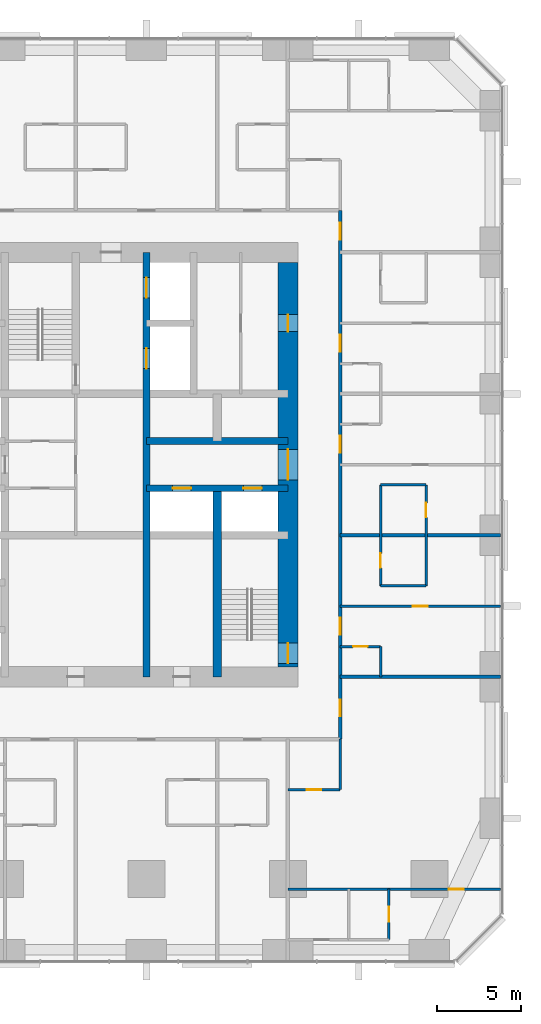
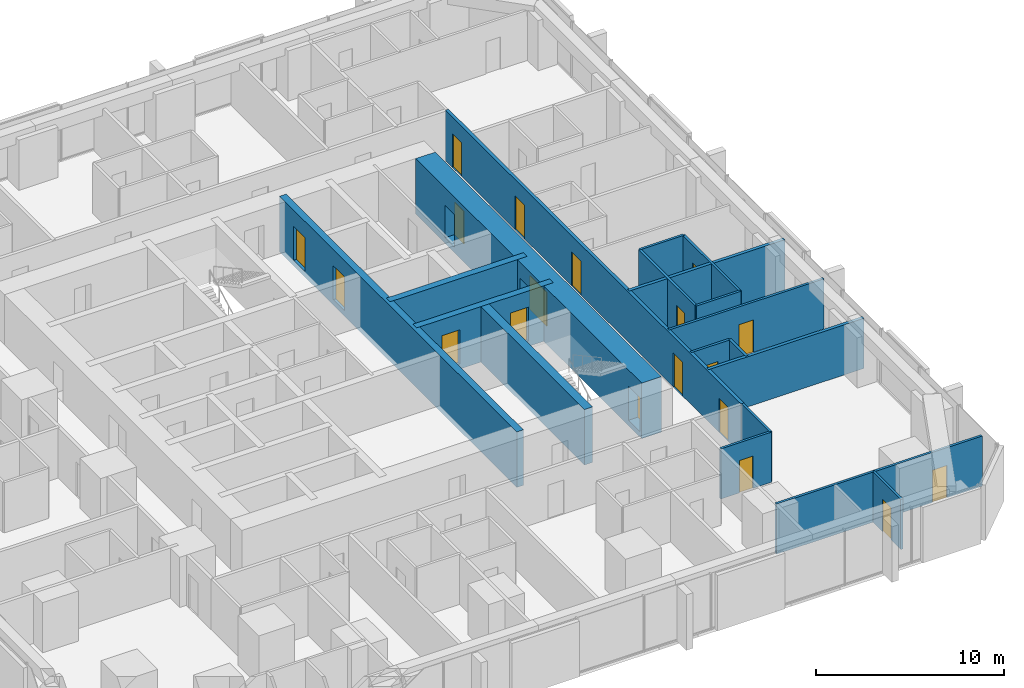
# One storey, part 10 of 13: 19 doors, 19 walls, 19 openings.
"""IFC4 building model written with IfcOpenShell, lengths in metres."""

from ifc_helpers import new_model, si_unit, direction, frame, frame_2d, origin, place, context, subcontext, project, spatial, rectangle, extrude, material, layer, layer_set, type_object, element, fill, save


model = new_model("IFC4")

# Units and contexts
model_context = context("Model", 3, precision=1e-05, world=origin(), true_north=direction((0.0, 1.0)))
body_context = subcontext(model_context, "Body", "Model", "MODEL_VIEW")
ifc_project = project(units=[si_unit("LENGTHUNIT", "METRE"), si_unit("AREAUNIT", "SQUARE_METRE"), si_unit("VOLUMEUNIT", "CUBIC_METRE"), si_unit("PLANEANGLEUNIT", "RADIAN"), si_unit("MASSUNIT", "GRAM", prefix="KILO")], contexts=[model_context])

# Site, building, storey
site_placement = place(None, origin())
site = spatial("IfcSite", under=ifc_project, at=site_placement, CompositionType="ELEMENT")
building_placement = place(site_placement, origin())
building = spatial("IfcBuilding", under=site, at=building_placement, Name="Dunama Terrace Hotel", CompositionType="ELEMENT")
storey_placement = place(building_placement, frame((0.0, 0.0, 144.0)))
storey = spatial("IfcBuildingStorey", under=building, at=storey_placement, Name="L37", CompositionType="ELEMENT", Elevation=144.0)

# Walls
ifc_material_1 = material(Name="Gypsum board partition", Category="masonry")
ifc_layer_1 = layer(ifc_material_1, 0.14990234375)
ifc_layer_set_1 = layer_set([ifc_layer_1], Name="Bathroom partition 150")
wall_type_1 = type_object("IfcWallType", Name="Bathroom partition 150", PredefinedType="PARTITIONING", material=ifc_layer_set_1)
wall_1_placement = place(storey_placement, frame((45.10009765625, 10.10009765625, 0.0), z_axis=(0.0, 0.0, 1.0), x_axis=(0.0, 1.0, 0.0)))
element("IfcWall", 1, at=wall_1_placement, inside=storey, type_object=wall_type_1, Name="Bathroom partition 150 L37", PredefinedType="PARTITIONING", context=body_context, shape_type="SweptSolid", body=[
    extrude(rectangle(XDim=3.0, YDim=0.14990234375, at=frame_2d((1.5, 0.0))), origin(), (0.0, 0.0, 1.0), 3.25),
])
wall_2_placement = place(storey_placement, frame((47.5, 16.800048828125, 0.0), z_axis=(0.0, 0.0, 1.0), x_axis=(0.0, 1.0, 0.0)))
element("IfcWall", 2, at=wall_2_placement, inside=storey, type_object=wall_type_1, Name="Bathroom partition 150 L37", PredefinedType="PARTITIONING", context=body_context, shape_type="SweptSolid", body=[
    extrude(rectangle(XDim=1.800048828125, YDim=0.14990234375, at=frame_2d((0.89990234375, 0.0))), origin(), (0.0, 0.0, 1.0), 3.25),
])

# Wall, opening, door
wall_3_placement = place(storey_placement, frame((47.5, 22.199951171875, 0.0), z_axis=(0.0, 0.0, 1.0), x_axis=(0.0, 1.0, 0.0)))
wall_3 = element("IfcWall", 3, at=wall_3_placement, inside=storey, type_object=wall_type_1, Name="Bathroom partition 150 L37", PredefinedType="PARTITIONING", context=body_context, shape_type="SweptSolid", body=[
    extrude(rectangle(XDim=6.0, YDim=0.14990234375, at=frame_2d((3.0, 0.0))), origin(), (0.0, 0.0, 1.0), 3.25),
])
opening_1_placement = place(wall_3_placement, frame((1.074951171875, 0.0, 0.0)))
opening_1 = element("IfcOpeningElement", 4, at=opening_1_placement, cuts=wall_3, Name="Opening L37-024", PredefinedType="OPENING", context=body_context, shape_type="SweptSolid", body=[
    extrude(rectangle(XDim=0.85009765625, YDim=2.10009765625, at=frame_2d((0.425048828125, 1.050048828125))), frame((0.0, 0.0849609375, 0.0), z_axis=(0.0, -1.0, 0.0), x_axis=(1.0, 0.0, 0.0)), (0.0, 0.0, 1.0), 0.169921875),
])
ifc_material_2 = material(Name="Timber door with steel frame", Category="steel")
door_type_1 = type_object("IfcDoorType", Name="Bathroom door 850", OperationType="SINGLE_SWING_LEFT", PredefinedType="DOOR", material=ifc_material_2)
door_1_placement = place(opening_1_placement, frame((0.85009765625, 0.0, 0.0), z_axis=(0.0, 0.0, 1.0), x_axis=(-1.0, 0.0, 0.0)))
door_1 = element("IfcDoor", 5, at=door_1_placement, inside=storey, type_object=door_type_1, Name="Door to en-suite bathroom L37-024, type D2", OperationType="SINGLE_SWING_LEFT", OverallHeight=2.10009765625, OverallWidth=0.85009765625, PredefinedType="DOOR", context=body_context, shape_type="SweptSolid", body=[
    extrude(rectangle(XDim=0.85009765625, YDim=2.10009765625, at=frame_2d((0.425048828125, 1.050048828125))), frame((0.0, 0.025146484375, 0.0), z_axis=(0.0, -1.0, 0.0), x_axis=(1.0, 0.0, 0.0)), (0.0, 0.0, 1.0), 0.050048828125),
])
fill(opening_1, door_1)

wall_4_placement = place(storey_placement, frame((50.199951171875, 22.199951171875, 0.0), z_axis=(0.0, 0.0, 1.0), x_axis=(0.0, 1.0, 0.0)))
wall_4 = element("IfcWall", 6, at=wall_4_placement, inside=storey, type_object=wall_type_1, Name="Bathroom partition 150 L37", PredefinedType="PARTITIONING", context=body_context, shape_type="SweptSolid", body=[
    extrude(rectangle(XDim=6.0, YDim=0.14990234375, at=frame_2d((3.0, 0.0))), origin(), (0.0, 0.0, 1.0), 3.25),
])
opening_2_placement = place(wall_4_placement, frame((4.074951171875, 0.0, 0.0)))
opening_2 = element("IfcOpeningElement", 7, at=opening_2_placement, cuts=wall_4, Name="Opening L37-028", PredefinedType="OPENING", context=body_context, shape_type="SweptSolid", body=[
    extrude(rectangle(XDim=0.85009765625, YDim=2.10009765625, at=frame_2d((0.425048828125, 1.050048828125))), frame((0.0, 0.0849609375, 0.0), z_axis=(0.0, -1.0, 0.0), x_axis=(1.0, 0.0, 0.0)), (0.0, 0.0, 1.0), 0.169921875),
])
door_2_placement = place(opening_2_placement, origin())
door_2 = element("IfcDoor", 8, at=door_2_placement, inside=storey, type_object=door_type_1, Name="Door to en-suite bathroom L37-028, type D2", OperationType="SINGLE_SWING_LEFT", OverallHeight=2.10009765625, OverallWidth=0.85009765625, PredefinedType="DOOR", context=body_context, shape_type="SweptSolid", body=[
    extrude(rectangle(XDim=0.85009765625, YDim=2.10009765625, at=frame_2d((0.425048828125, 1.050048828125))), frame((0.0, 0.02490234375, 0.0), z_axis=(0.0, -1.0, 0.0), x_axis=(1.0, 0.0, 0.0)), (0.0, 0.0, 1.0), 0.050048828125),
])
fill(opening_2, door_2)

wall_5_placement = place(storey_placement, frame((42.0, 10.10009765625, 0.0), z_axis=(0.0, 0.0, 1.0), x_axis=(1.0, 0.0, 0.0)))
wall_5 = element("IfcWall", 9, at=wall_5_placement, inside=storey, type_object=wall_type_1, Name="Bathroom partition 150 L37", PredefinedType="PARTITIONING", context=body_context, shape_type="SweptSolid", body=[
    extrude(rectangle(XDim=3.10009765625, YDim=0.14990234375, at=frame_2d((1.550048828125, 0.0))), origin(), (0.0, 0.0, 1.0), 3.25),
])
opening_3_placement = place(wall_5_placement, frame((1.125, 0.0, 0.0)))
opening_3 = element("IfcOpeningElement", 10, at=opening_3_placement, cuts=wall_5, Name="Opening L37-055", PredefinedType="OPENING", context=body_context, shape_type="SweptSolid", body=[
    extrude(rectangle(XDim=0.85009765625, YDim=2.10009765625, at=frame_2d((0.425048828125, 1.050048828125))), frame((0.0, 0.0849609375, 0.0), z_axis=(0.0, -1.0, 0.0), x_axis=(1.0, 0.0, 0.0)), (0.0, 0.0, 1.0), 0.169921875),
])
door_3_placement = place(opening_3_placement, origin())
door_3 = element("IfcDoor", 11, at=door_3_placement, inside=storey, type_object=door_type_1, Name="Door to powder room L37-055, type D2", OperationType="SINGLE_SWING_LEFT", OverallHeight=2.10009765625, OverallWidth=0.85009765625, PredefinedType="DOOR", context=body_context, shape_type="SweptSolid", body=[
    extrude(rectangle(XDim=0.85009765625, YDim=2.10009765625, at=frame_2d((0.425048828125, 1.050048828125))), frame((0.0, 0.02490234375, 0.0), z_axis=(0.0, -1.0, 0.0), x_axis=(1.0, 0.0, 0.0)), (0.0, 0.0, 1.0), 0.050048828125),
])
fill(opening_3, door_3)

wall_6_placement = place(storey_placement, frame((45.10009765625, 18.60009765625, 0.0), z_axis=(0.0, 0.0, 1.0), x_axis=(1.0, 0.0, 0.0)))
wall_6 = element("IfcWall", 12, at=wall_6_placement, inside=storey, type_object=wall_type_1, Name="Bathroom partition 150 L37", PredefinedType="PARTITIONING", context=body_context, shape_type="SweptSolid", body=[
    extrude(rectangle(XDim=2.39990234375, YDim=0.14990234375, at=frame_2d((1.199951171875, 0.0))), origin(), (0.0, 0.0, 1.0), 3.25),
])
opening_4_placement = place(wall_6_placement, frame((0.77490234375, 0.0, 0.0)))
opening_4 = element("IfcOpeningElement", 13, at=opening_4_placement, cuts=wall_6, Name="Opening L37-022", PredefinedType="OPENING", context=body_context, shape_type="SweptSolid", body=[
    extrude(rectangle(XDim=0.85009765625, YDim=2.10009765625, at=frame_2d((0.425048828125, 1.050048828125))), frame((0.0, 0.0849609375, 0.0), z_axis=(0.0, -1.0, 0.0), x_axis=(1.0, 0.0, 0.0)), (0.0, 0.0, 1.0), 0.169921875),
])
door_4_placement = place(opening_4_placement, frame((0.85009765625, 0.0, 0.0), z_axis=(0.0, 0.0, 1.0), x_axis=(-1.0, 0.0, 0.0)))
door_4 = element("IfcDoor", 14, at=door_4_placement, inside=storey, type_object=door_type_1, Name="Door to powder room L37-022, type D2", OperationType="SINGLE_SWING_RIGHT", OverallHeight=2.10009765625, OverallWidth=0.85009765625, PredefinedType="DOOR", context=body_context, shape_type="SweptSolid", body=[
    extrude(rectangle(XDim=0.85009765625, YDim=2.10009765625, at=frame_2d((0.425048828125, 1.050048828125))), frame((0.0, 0.025146484375, 0.0), z_axis=(0.0, -1.0, 0.0), x_axis=(1.0, 0.0, 0.0)), (0.0, 0.0, 1.0), 0.050048828125),
])
fill(opening_4, door_4)

# Walls
for number, where, z_axis, x_axis, name in (
    (15, (47.5, 22.199951171875, 0.0), (0.0, 0.0, 1.0), (1.0, 0.0, 0.0), "Bathroom partition 150 L37"),
    (16, (47.5, 28.199951171875, 0.0), (0.0, 0.0, 1.0), (1.0, 0.0, 0.0), "Bathroom partition 150 L37"),
):
    element("IfcWall", number, at=place(storey_placement, frame(where, z_axis=z_axis, x_axis=x_axis)), inside=storey, type_object=wall_type_1, Name=name, PredefinedType="PARTITIONING", context=body_context, shape_type="SweptSolid", body=[
        extrude(rectangle(XDim=2.699951171875, YDim=0.14990234375, at=frame_2d((1.35009765625, 0.0))), origin(), (0.0, 0.0, 1.0), 3.25),
    ])

# Wall, openings, doors
ifc_material_3 = material(Name="Concrete C50/60", Category="concrete")
ifc_layer_2 = layer(ifc_material_3, 0.39990234375)
ifc_layer_set_2 = layer_set([ifc_layer_2], Name="Core inner wall 400")
wall_type_2 = type_object("IfcWallType", Name="Core inner wall 400", PredefinedType="SHEAR", material=ifc_layer_set_2)
wall_7_placement = place(storey_placement, frame((33.60009765625, 16.800048828125, -0.35009765625), z_axis=(0.0, 0.0, 1.0), x_axis=(0.0, 1.0, 0.0)))
wall_7 = element("IfcWall", 17, at=wall_7_placement, inside=storey, type_object=wall_type_2, Name="Core inner wall 400 L37", PredefinedType="SHEAR", context=body_context, shape_type="SweptSolid", body=[
    extrude(rectangle(XDim=25.199951171875, YDim=0.39990234375, at=frame_2d((12.60009765625, 0.0))), origin(), (0.0, 0.0, 1.0), 3.60009765625),
])
opening_5_placement = place(wall_7_placement, frame((22.5, 0.0, 0.35009765625)))
opening_5 = element("IfcOpeningElement", 18, at=opening_5_placement, cuts=wall_7, Name="Opening L37-009", PredefinedType="OPENING", context=body_context, shape_type="SweptSolid", body=[
    extrude(rectangle(XDim=1.199951171875, YDim=2.199951171875, at=frame_2d((0.60009765625, 1.10009765625))), frame((0.0, 0.2099609375, 0.0), z_axis=(0.0, -1.0, 0.0), x_axis=(1.0, 0.0, 0.0)), (0.0, 0.0, 1.0), 0.419921875),
])
opening_6_placement = place(wall_7_placement, frame((18.300048828125, 0.0, 0.35009765625)))
opening_6 = element("IfcOpeningElement", 19, at=opening_6_placement, cuts=wall_7, Name="Opening L37-010", PredefinedType="OPENING", context=body_context, shape_type="SweptSolid", body=[
    extrude(rectangle(XDim=1.199951171875, YDim=2.199951171875, at=frame_2d((0.60009765625, 1.10009765625))), frame((0.0, 0.2099609375, 0.0), z_axis=(0.0, -1.0, 0.0), x_axis=(1.0, 0.0, 0.0)), (0.0, 0.0, 1.0), 0.419921875),
])
ifc_material_4 = material(Name="Stainless steel lift door", Category="steel")
door_type_2 = type_object("IfcDoorType", Name="Firefighting lift landing door 1200", OperationType="DOUBLE_DOOR_SLIDING", PredefinedType="DOOR", material=ifc_material_4)
door_5_placement = place(opening_5_placement, origin())
door_5 = element("IfcDoor", 20, at=door_5_placement, inside=storey, type_object=door_type_2, Name="Landing door FL1 L37-009, type LD2", OperationType="DOUBLE_DOOR_SLIDING", OverallHeight=2.199951171875, OverallWidth=1.199951171875, PredefinedType="DOOR", context=body_context, shape_type="SweptSolid", body=[
    extrude(rectangle(XDim=1.199951171875, YDim=2.199951171875, at=frame_2d((0.60009765625, 1.10009765625))), frame((0.0, 0.02490234375, 0.0), z_axis=(0.0, -1.0, 0.0), x_axis=(1.0, 0.0, 0.0)), (0.0, 0.0, 1.0), 0.050048828125),
])
fill(opening_5, door_5)
door_6_placement = place(opening_6_placement, origin())
door_6 = element("IfcDoor", 21, at=door_6_placement, inside=storey, type_object=door_type_2, Name="Landing door FL2 L37-010, type LD2", OperationType="DOUBLE_DOOR_SLIDING", OverallHeight=2.199951171875, OverallWidth=1.199951171875, PredefinedType="DOOR", context=body_context, shape_type="SweptSolid", body=[
    extrude(rectangle(XDim=1.199951171875, YDim=2.199951171875, at=frame_2d((0.60009765625, 1.10009765625))), frame((0.0, 0.02490234375, 0.0), z_axis=(0.0, -1.0, 0.0), x_axis=(1.0, 0.0, 0.0)), (0.0, 0.0, 1.0), 0.050048828125),
])
fill(opening_6, door_6)

wall_8_placement = place(storey_placement, frame((33.60009765625, 28.0, -0.35009765625), z_axis=(0.0, 0.0, 1.0), x_axis=(1.0, 0.0, 0.0)))
wall_8 = element("IfcWall", 22, at=wall_8_placement, inside=storey, type_object=wall_type_2, Name="Core inner wall 400 L37", PredefinedType="SHEAR", context=body_context, shape_type="SweptSolid", body=[
    extrude(rectangle(XDim=8.39990234375, YDim=0.39990234375, at=frame_2d((4.199951171875, 0.0))), origin(), (0.0, 0.0, 1.0), 3.60009765625),
])
opening_7_placement = place(wall_8_placement, frame((1.550048828125, 0.0, 0.35009765625)))
opening_7 = element("IfcOpeningElement", 23, at=opening_7_placement, cuts=wall_8, Name="Opening L37-003", PredefinedType="OPENING", context=body_context, shape_type="SweptSolid", body=[
    extrude(rectangle(XDim=1.10009765625, YDim=2.199951171875, at=frame_2d((0.550048828125, 1.10009765625))), frame((0.0, 0.2099609375, 0.0), z_axis=(0.0, -1.0, 0.0), x_axis=(1.0, 0.0, 0.0)), (0.0, 0.0, 1.0), 0.419921875),
])
opening_8_placement = place(wall_8_placement, frame((5.75, 0.0, 0.35009765625)))
opening_8 = element("IfcOpeningElement", 24, at=opening_8_placement, cuts=wall_8, Name="Opening L37-004", PredefinedType="OPENING", context=body_context, shape_type="SweptSolid", body=[
    extrude(rectangle(XDim=1.10009765625, YDim=2.199951171875, at=frame_2d((0.550048828125, 1.10009765625))), frame((0.0, 0.2099609375, 0.0), z_axis=(0.0, -1.0, 0.0), x_axis=(1.0, 0.0, 0.0)), (0.0, 0.0, 1.0), 0.419921875),
])
ifc_material_5 = material(Name="Stainless steel lift door", Category="steel")
door_type_3 = type_object("IfcDoorType", Name="Lift landing door 1100", OperationType="DOUBLE_DOOR_SLIDING", PredefinedType="DOOR", material=ifc_material_5)
door_7_placement = place(opening_7_placement, origin())
door_7 = element("IfcDoor", 25, at=door_7_placement, inside=storey, type_object=door_type_3, Name="Landing door PB1 L37-003, type LD1", OperationType="DOUBLE_DOOR_SLIDING", OverallHeight=2.199951171875, OverallWidth=1.10009765625, PredefinedType="DOOR", context=body_context, shape_type="SweptSolid", body=[
    extrude(rectangle(XDim=1.10009765625, YDim=2.199951171875, at=frame_2d((0.550048828125, 1.10009765625))), frame((0.0, 0.02490234375, 0.0), z_axis=(0.0, -1.0, 0.0), x_axis=(1.0, 0.0, 0.0)), (0.0, 0.0, 1.0), 0.050048828125),
])
fill(opening_7, door_7)
door_8_placement = place(opening_8_placement, origin())
door_8 = element("IfcDoor", 26, at=door_8_placement, inside=storey, type_object=door_type_3, Name="Landing door PB2 L37-004, type LD1", OperationType="DOUBLE_DOOR_SLIDING", OverallHeight=2.199951171875, OverallWidth=1.10009765625, PredefinedType="DOOR", context=body_context, shape_type="SweptSolid", body=[
    extrude(rectangle(XDim=1.10009765625, YDim=2.199951171875, at=frame_2d((0.550048828125, 1.10009765625))), frame((0.0, 0.02490234375, 0.0), z_axis=(0.0, -1.0, 0.0), x_axis=(1.0, 0.0, 0.0)), (0.0, 0.0, 1.0), 0.050048828125),
])
fill(opening_8, door_8)

# Walls
wall_9_placement = place(storey_placement, frame((33.60009765625, 30.800048828125, -0.35009765625), z_axis=(0.0, 0.0, 1.0), x_axis=(1.0, 0.0, 0.0)))
element("IfcWall", 27, at=wall_9_placement, inside=storey, type_object=wall_type_2, Name="Core inner wall 400 L37", PredefinedType="SHEAR", context=body_context, shape_type="SweptSolid", body=[
    extrude(rectangle(XDim=8.39990234375, YDim=0.39990234375, at=frame_2d((4.199951171875, 0.0))), origin(), (0.0, 0.0, 1.0), 3.60009765625),
])
ifc_material_6 = material(Name="Concrete C50/60", Category="concrete")
ifc_layer_3 = layer(ifc_material_6, 0.5)
ifc_layer_set_3 = layer_set([ifc_layer_3], Name="Core inner wall 500")
wall_type_3 = type_object("IfcWallType", Name="Core inner wall 500", PredefinedType="SHEAR", material=ifc_layer_set_3)
wall_10_placement = place(storey_placement, frame((37.800048828125, 16.800048828125, -0.35009765625), z_axis=(0.0, 0.0, 1.0), x_axis=(0.0, 1.0, 0.0)))
element("IfcWall", 28, at=wall_10_placement, inside=storey, type_object=wall_type_3, Name="Core inner wall 500 L37", PredefinedType="SHEAR", context=body_context, shape_type="SweptSolid", body=[
    extrude(rectangle(XDim=11.199951171875, YDim=0.5, at=frame_2d((5.60009765625, 0.0))), origin(), (0.0, 0.0, 1.0), 3.60009765625),
])

# Wall, openings, doors
ifc_material_7 = material(Name="Concrete C60/75", Category="concrete")
ifc_layer_4 = layer(ifc_material_7, 1.199951171875)
ifc_layer_set_4 = layer_set([ifc_layer_4], Name="Core wall 1200")
wall_type_4 = type_object("IfcWallType", Name="Core wall 1200", PredefinedType="SHEAR", material=ifc_layer_set_4)
wall_11_placement = place(storey_placement, frame((42.0, 17.39990234375, -0.35009765625), z_axis=(0.0, 0.0, 1.0), x_axis=(0.0, 1.0, 0.0)))
wall_11 = element("IfcWall", 29, at=wall_11_placement, inside=storey, type_object=wall_type_4, Name="Core wall east L37", PredefinedType="SHEAR", context=body_context, shape_type="SweptSolid", body=[
    extrude(rectangle(XDim=24.0, YDim=1.199951171875, at=frame_2d((12.0, 0.0))), origin(), (0.0, 0.0, 1.0), 3.60009765625),
])
opening_9_placement = place(wall_11_placement, frame((0.199951171875, 0.0, 0.35009765625)))
opening_9 = element("IfcOpeningElement", 30, at=opening_9_placement, cuts=wall_11, Name="Opening L37-002", PredefinedType="OPENING", context=body_context, shape_type="SweptSolid", body=[
    extrude(rectangle(XDim=1.199951171875, YDim=2.199951171875, at=frame_2d((0.60009765625, 1.10009765625))), frame((0.0, 0.60986328125, 0.0), z_axis=(0.0, -1.0, 0.0), x_axis=(1.0, 0.0, 0.0)), (0.0, 0.0, 1.0), 1.219970703125),
])
opening_10_placement = place(wall_11_placement, frame((11.10009765625, 0.0, 0.35009765625)))
opening_10 = element("IfcOpeningElement", 31, at=opening_10_placement, cuts=wall_11, Name="Opening L37-077", PredefinedType="OPENING", context=body_context, shape_type="SweptSolid", body=[
    extrude(rectangle(XDim=1.800048828125, YDim=2.199951171875, at=frame_2d((0.89990234375, 1.10009765625))), frame((0.0, 0.60986328125, 0.0), z_axis=(0.0, -1.0, 0.0), x_axis=(1.0, 0.0, 0.0)), (0.0, 0.0, 1.0), 1.219970703125),
])
opening_11_placement = place(wall_11_placement, frame((19.89990234375, 0.0, 0.35009765625)))
opening_11 = element("IfcOpeningElement", 32, at=opening_11_placement, cuts=wall_11, Name="Opening L37-079", PredefinedType="OPENING", context=body_context, shape_type="SweptSolid", body=[
    extrude(rectangle(XDim=1.0, YDim=2.10009765625, at=frame_2d((0.5, 1.050048828125))), frame((0.0, 0.60986328125, 0.0), z_axis=(0.0, -1.0, 0.0), x_axis=(1.0, 0.0, 0.0)), (0.0, 0.0, 1.0), 1.219970703125),
])
ifc_material_8 = material(Name="Timber door with steel frame", Category="steel")
door_type_4 = type_object("IfcDoorType", Name="Lift lobby double door 1800", OperationType="DOUBLE_DOOR_DOUBLE_SWING", PredefinedType="DOOR", material=ifc_material_8)
door_9_placement = place(opening_10_placement, origin())
door_9 = element("IfcDoor", 33, at=door_9_placement, inside=storey, type_object=door_type_4, Name="Door to lift lobby L37-077, type D3", OperationType="DOUBLE_DOOR_DOUBLE_SWING", OverallHeight=2.199951171875, OverallWidth=1.800048828125, PredefinedType="DOOR", context=body_context, shape_type="SweptSolid", body=[
    extrude(rectangle(XDim=1.800048828125, YDim=2.199951171875, at=frame_2d((0.89990234375, 1.10009765625))), frame((0.0, 0.02490234375, 0.0), z_axis=(0.0, -1.0, 0.0), x_axis=(1.0, 0.0, 0.0)), (0.0, 0.0, 1.0), 0.050048828125),
])
fill(opening_10, door_9)
ifc_material_9 = material(Name="Timber door with steel frame", Category="steel")
door_type_5 = type_object("IfcDoorType", Name="Service door 1000", OperationType="SINGLE_SWING_LEFT", PredefinedType="DOOR", material=ifc_material_9)
door_10_placement = place(opening_11_placement, origin())
door_10 = element("IfcDoor", 34, at=door_10_placement, inside=storey, type_object=door_type_5, Name="Door to housekeeping and linen store L37-079, type D7", OperationType="SINGLE_SWING_LEFT", OverallHeight=2.10009765625, OverallWidth=1.0, PredefinedType="DOOR", context=body_context, shape_type="SweptSolid", body=[
    extrude(rectangle(XDim=1.0, YDim=2.10009765625, at=frame_2d((0.5, 1.050048828125))), frame((0.0, 0.02490234375, 0.0), z_axis=(0.0, -1.0, 0.0), x_axis=(1.0, 0.0, 0.0)), (0.0, 0.0, 1.0), 0.050048828125),
])
fill(opening_11, door_10)
ifc_material_10 = material(Name="Timber door with steel frame", Category="steel")
door_type_6 = type_object("IfcDoorType", Name="Stair door 1200", OperationType="SINGLE_SWING_LEFT", PredefinedType="DOOR", material=ifc_material_10)
door_11_placement = place(opening_9_placement, origin())
door_11 = element("IfcDoor", 35, at=door_11_placement, inside=storey, type_object=door_type_6, Name="Stair door ST2 L37-002, type D5", OperationType="SINGLE_SWING_LEFT", OverallHeight=2.199951171875, OverallWidth=1.199951171875, PredefinedType="DOOR", context=body_context, shape_type="SweptSolid", body=[
    extrude(rectangle(XDim=1.199951171875, YDim=2.199951171875, at=frame_2d((0.60009765625, 1.10009765625))), frame((0.0, 0.02490234375, 0.0), z_axis=(0.0, -1.0, 0.0), x_axis=(1.0, 0.0, 0.0)), (0.0, 0.0, 1.0), 0.050048828125),
])
fill(opening_9, door_11)

ifc_material_11 = material(Name="Concrete blockwork", Category="masonry")
ifc_layer_5 = layer(ifc_material_11, 0.199951171875)
ifc_layer_set_5 = layer_set([ifc_layer_5], Name="Corridor partition 200")
wall_type_5 = type_object("IfcWallType", Name="Corridor partition 200", PredefinedType="PARTITIONING", material=ifc_layer_set_5)
wall_12_placement = place(storey_placement, frame((45.10009765625, 44.5, 0.0), z_axis=(0.0, 0.0, 1.0), x_axis=(0.0, -1.0, 0.0)))
wall_12 = element("IfcWall", 36, at=wall_12_placement, inside=storey, type_object=wall_type_5, Name="Corridor partition 200 L37", PredefinedType="PARTITIONING", context=body_context, shape_type="SweptSolid", body=[
    extrude(rectangle(XDim=31.39990234375, YDim=0.199951171875, at=frame_2d((15.699951171875, 0.0))), origin(), (0.0, 0.0, 1.0), 3.25),
])
opening_12_placement = place(wall_12_placement, frame((24.199951171875, 0.0, 0.0)))
opening_12 = element("IfcOpeningElement", 37, at=opening_12_placement, cuts=wall_12, Name="Opening L37-021", PredefinedType="OPENING", context=body_context, shape_type="SweptSolid", body=[
    extrude(rectangle(XDim=1.0, YDim=2.199951171875, at=frame_2d((0.5, 1.10009765625))), frame((0.0, 0.10986328125, 0.0), z_axis=(0.0, -1.0, 0.0), x_axis=(1.0, 0.0, 0.0)), (0.0, 0.0, 1.0), 0.219970703125),
])
opening_13_placement = place(wall_12_placement, frame((13.39990234375, 0.0, 0.0)))
opening_13 = element("IfcOpeningElement", 38, at=opening_13_placement, cuts=wall_12, Name="Opening L37-025", PredefinedType="OPENING", context=body_context, shape_type="SweptSolid", body=[
    extrude(rectangle(XDim=1.0, YDim=2.199951171875, at=frame_2d((0.5, 1.10009765625))), frame((0.0, 0.10986328125, 0.0), z_axis=(0.0, -1.0, 0.0), x_axis=(1.0, 0.0, 0.0)), (0.0, 0.0, 1.0), 0.219970703125),
])
opening_14_placement = place(wall_12_placement, frame((7.39990234375, 0.0, 0.0)))
opening_14 = element("IfcOpeningElement", 39, at=opening_14_placement, cuts=wall_12, Name="Opening L37-029", PredefinedType="OPENING", context=body_context, shape_type="SweptSolid", body=[
    extrude(rectangle(XDim=1.0, YDim=2.199951171875, at=frame_2d((0.5, 1.10009765625))), frame((0.0, 0.10986328125, 0.0), z_axis=(0.0, -1.0, 0.0), x_axis=(1.0, 0.0, 0.0)), (0.0, 0.0, 1.0), 0.219970703125),
])
opening_15_placement = place(wall_12_placement, frame((29.050048828125, 0.0, 0.0)))
opening_15 = element("IfcOpeningElement", 40, at=opening_15_placement, cuts=wall_12, Name="Opening L37-054", PredefinedType="OPENING", context=body_context, shape_type="SweptSolid", body=[
    extrude(rectangle(XDim=1.0, YDim=2.199951171875, at=frame_2d((0.5, 1.10009765625))), frame((0.0, 0.10986328125, 0.0), z_axis=(0.0, -1.0, 0.0), x_axis=(1.0, 0.0, 0.0)), (0.0, 0.0, 1.0), 0.219970703125),
])
opening_16_placement = place(wall_12_placement, frame((0.75, 0.0, 0.0)))
opening_16 = element("IfcOpeningElement", 41, at=opening_16_placement, cuts=wall_12, Name="Opening L37-059", PredefinedType="OPENING", context=body_context, shape_type="SweptSolid", body=[
    extrude(rectangle(XDim=1.0, YDim=2.199951171875, at=frame_2d((0.5, 1.10009765625))), frame((0.0, 0.10986328125, 0.0), z_axis=(0.0, -1.0, 0.0), x_axis=(1.0, 0.0, 0.0)), (0.0, 0.0, 1.0), 0.219970703125),
])
ifc_material_12 = material(Name="Timber door with steel frame", Category="steel")
door_type_7 = type_object("IfcDoorType", Name="Guest room door 1000", OperationType="SINGLE_SWING_LEFT", PredefinedType="DOOR", material=ifc_material_12)
door_12_placement = place(opening_12_placement, origin())
door_12 = element("IfcDoor", 42, at=door_12_placement, inside=storey, type_object=door_type_7, Name="Door to premier suite living room L37-021, type D1", OperationType="SINGLE_SWING_RIGHT", OverallHeight=2.199951171875, OverallWidth=1.0, PredefinedType="DOOR", context=body_context, shape_type="SweptSolid", body=[
    extrude(rectangle(XDim=1.0, YDim=2.199951171875, at=frame_2d((0.5, 1.10009765625))), frame((0.0, 0.02490234375, 0.0), z_axis=(0.0, -1.0, 0.0), x_axis=(1.0, 0.0, 0.0)), (0.0, 0.0, 1.0), 0.050048828125),
])
fill(opening_12, door_12)
door_13_placement = place(opening_13_placement, origin())
door_13 = element("IfcDoor", 43, at=door_13_placement, inside=storey, type_object=door_type_7, Name="Door to premier suite living room L37-025, type D1", OperationType="SINGLE_SWING_LEFT", OverallHeight=2.199951171875, OverallWidth=1.0, PredefinedType="DOOR", context=body_context, shape_type="SweptSolid", body=[
    extrude(rectangle(XDim=1.0, YDim=2.199951171875, at=frame_2d((0.5, 1.10009765625))), frame((0.0, 0.02490234375, 0.0), z_axis=(0.0, -1.0, 0.0), x_axis=(1.0, 0.0, 0.0)), (0.0, 0.0, 1.0), 0.050048828125),
])
fill(opening_13, door_13)
door_14_placement = place(opening_14_placement, origin())
door_14 = element("IfcDoor", 44, at=door_14_placement, inside=storey, type_object=door_type_7, Name="Door to premier suite living room L37-029, type D1", OperationType="SINGLE_SWING_LEFT", OverallHeight=2.199951171875, OverallWidth=1.0, PredefinedType="DOOR", context=body_context, shape_type="SweptSolid", body=[
    extrude(rectangle(XDim=1.0, YDim=2.199951171875, at=frame_2d((0.5, 1.10009765625))), frame((0.0, 0.02490234375, 0.0), z_axis=(0.0, -1.0, 0.0), x_axis=(1.0, 0.0, 0.0)), (0.0, 0.0, 1.0), 0.050048828125),
])
fill(opening_14, door_14)
door_15_placement = place(opening_15_placement, origin())
door_15 = element("IfcDoor", 45, at=door_15_placement, inside=storey, type_object=door_type_7, Name="Door to corner suite living room L37-054, type D1", OperationType="SINGLE_SWING_LEFT", OverallHeight=2.199951171875, OverallWidth=1.0, PredefinedType="DOOR", context=body_context, shape_type="SweptSolid", body=[
    extrude(rectangle(XDim=1.0, YDim=2.199951171875, at=frame_2d((0.5, 1.10009765625))), frame((0.0, 0.02490234375, 0.0), z_axis=(0.0, -1.0, 0.0), x_axis=(1.0, 0.0, 0.0)), (0.0, 0.0, 1.0), 0.050048828125),
])
fill(opening_15, door_15)
door_16_placement = place(opening_16_placement, origin())
door_16 = element("IfcDoor", 46, at=door_16_placement, inside=storey, type_object=door_type_7, Name="Door to corner suite living room L37-059, type D1", OperationType="SINGLE_SWING_RIGHT", OverallHeight=2.199951171875, OverallWidth=1.0, PredefinedType="DOOR", context=body_context, shape_type="SweptSolid", body=[
    extrude(rectangle(XDim=1.0, YDim=2.199951171875, at=frame_2d((0.5, 1.10009765625))), frame((0.0, 0.02490234375, 0.0), z_axis=(0.0, -1.0, 0.0), x_axis=(1.0, 0.0, 0.0)), (0.0, 0.0, 1.0), 0.050048828125),
])
fill(opening_16, door_16)

# Walls
ifc_material_13 = material(Name="Concrete blockwork", Category="masonry")
ifc_layer_6 = layer(ifc_material_13, 0.199951171875)
ifc_layer_set_6 = layer_set([ifc_layer_6], Name="Party wall 200")
wall_type_6 = type_object("IfcWallType", Name="Party wall 200", PredefinedType="PARTITIONING", material=ifc_layer_set_6)
for number, where, z_axis, x_axis, name in (
    (47, (45.10009765625, 16.800048828125, 0.0), (0.0, 0.0, 1.0), (1.0, 0.0, 0.0), "Party wall 200 L37"),
    (48, (45.10009765625, 25.199951171875, 0.0), (0.0, 0.0, 1.0), (1.0, 0.0, 0.0), "Party wall 200 L37"),
):
    element("IfcWall", number, at=place(storey_placement, frame(where, z_axis=z_axis, x_axis=x_axis)), inside=storey, type_object=wall_type_6, Name=name, PredefinedType="PARTITIONING", context=body_context, shape_type="SweptSolid", body=[
        extrude(rectangle(XDim=9.517822265625, YDim=0.199951171875, at=frame_2d((4.7587890625, 0.0))), origin(), (0.0, 0.0, 1.0), 3.25),
    ])

# Wall, opening, door
ifc_material_14 = material(Name="Gypsum board partition", Category="masonry")
ifc_layer_7 = layer(ifc_material_14, 0.14990234375)
ifc_layer_set_7 = layer_set([ifc_layer_7], Name="Room partition 150")
wall_type_7 = type_object("IfcWallType", Name="Room partition 150", PredefinedType="PARTITIONING", material=ifc_layer_set_7)
wall_13_placement = place(storey_placement, frame((48.0, 1.199951171875, 0.0), z_axis=(0.0, 0.0, 1.0), x_axis=(0.0, 1.0, 0.0)))
wall_13 = element("IfcWall", 49, at=wall_13_placement, inside=storey, type_object=wall_type_7, Name="Room partition 150 L37", PredefinedType="PARTITIONING", context=body_context, shape_type="SweptSolid", body=[
    extrude(rectangle(XDim=3.0, YDim=0.14990234375, at=frame_2d((1.5, 0.0))), origin(), (0.0, 0.0, 1.0), 3.25),
])
opening_17_placement = place(wall_13_placement, frame((1.050048828125, 0.0, 0.0)))
opening_17 = element("IfcOpeningElement", 50, at=opening_17_placement, cuts=wall_13, Name="Opening L37-058", PredefinedType="OPENING", context=body_context, shape_type="SweptSolid", body=[
    extrude(rectangle(XDim=0.89990234375, YDim=2.10009765625, at=frame_2d((0.449951171875, 1.050048828125))), frame((0.0, 0.0849609375, 0.0), z_axis=(0.0, -1.0, 0.0), x_axis=(1.0, 0.0, 0.0)), (0.0, 0.0, 1.0), 0.169921875),
])
ifc_material_15 = material(Name="Timber door with steel frame", Category="steel")
door_type_8 = type_object("IfcDoorType", Name="Suite internal door 900", OperationType="SINGLE_SWING_LEFT", PredefinedType="DOOR", material=ifc_material_15)
door_17_placement = place(opening_17_placement, origin())
door_17 = element("IfcDoor", 51, at=door_17_placement, inside=storey, type_object=door_type_8, Name="Door to dressing room L37-058, type D16", OperationType="SINGLE_SWING_LEFT", OverallHeight=2.10009765625, OverallWidth=0.89990234375, PredefinedType="DOOR", context=body_context, shape_type="SweptSolid", body=[
    extrude(rectangle(XDim=0.89990234375, YDim=2.10009765625, at=frame_2d((0.449951171875, 1.050048828125))), frame((0.0, 0.02490234375, 0.0), z_axis=(0.0, -1.0, 0.0), x_axis=(1.0, 0.0, 0.0)), (0.0, 0.0, 1.0), 0.050048828125),
])
fill(opening_17, door_17)

wall_14_placement = place(storey_placement, frame((42.0, 4.199951171875, 0.0), z_axis=(0.0, 0.0, 1.0), x_axis=(1.0, 0.0, 0.0)))
wall_14 = element("IfcWall", 52, at=wall_14_placement, inside=storey, type_object=wall_type_7, Name="Room partition 150 L37", PredefinedType="PARTITIONING", context=body_context, shape_type="SweptSolid", body=[
    extrude(rectangle(XDim=12.617919921875, YDim=0.14990234375, at=frame_2d((6.30908203125, 0.0))), origin(), (0.0, 0.0, 1.0), 3.25),
])
opening_18_placement = place(wall_14_placement, frame((9.550048828125, 0.0, 0.0)))
opening_18 = element("IfcOpeningElement", 53, at=opening_18_placement, cuts=wall_14, Name="Opening L37-056", PredefinedType="OPENING", context=body_context, shape_type="SweptSolid", body=[
    extrude(rectangle(XDim=0.89990234375, YDim=2.10009765625, at=frame_2d((0.449951171875, 1.050048828125))), frame((0.0, 0.0849609375, 0.0), z_axis=(0.0, -1.0, 0.0), x_axis=(1.0, 0.0, 0.0)), (0.0, 0.0, 1.0), 0.169921875),
])
door_18_placement = place(opening_18_placement, frame((0.89990234375, 0.0, 0.0), z_axis=(0.0, 0.0, 1.0), x_axis=(-1.0, 0.0, 0.0)))
door_18 = element("IfcDoor", 54, at=door_18_placement, inside=storey, type_object=door_type_8, Name="Door to corner suite bedroom L37-056, type D16", OperationType="SINGLE_SWING_RIGHT", OverallHeight=2.10009765625, OverallWidth=0.89990234375, PredefinedType="DOOR", context=body_context, shape_type="SweptSolid", body=[
    extrude(rectangle(XDim=0.89990234375, YDim=2.10009765625, at=frame_2d((0.449951171875, 1.050048828125))), frame((0.0, 0.025146484375, 0.0), z_axis=(0.0, -1.0, 0.0), x_axis=(1.0, 0.0, 0.0)), (0.0, 0.0, 1.0), 0.050048828125),
])
fill(opening_18, door_18)

wall_15_placement = place(storey_placement, frame((45.10009765625, 21.0, 0.0), z_axis=(0.0, 0.0, 1.0), x_axis=(1.0, 0.0, 0.0)))
wall_15 = element("IfcWall", 55, at=wall_15_placement, inside=storey, type_object=wall_type_7, Name="Room partition 150 L37", PredefinedType="PARTITIONING", context=body_context, shape_type="SweptSolid", body=[
    extrude(rectangle(XDim=9.517822265625, YDim=0.14990234375, at=frame_2d((4.7587890625, 0.0))), origin(), (0.0, 0.0, 1.0), 3.25),
])
opening_19_placement = place(wall_15_placement, frame((4.300048828125, 0.0, 0.0)))
opening_19 = element("IfcOpeningElement", 56, at=opening_19_placement, cuts=wall_15, Name="Opening L37-023", PredefinedType="OPENING", context=body_context, shape_type="SweptSolid", body=[
    extrude(rectangle(XDim=0.89990234375, YDim=2.10009765625, at=frame_2d((0.449951171875, 1.050048828125))), frame((0.0, 0.0849609375, 0.0), z_axis=(0.0, -1.0, 0.0), x_axis=(1.0, 0.0, 0.0)), (0.0, 0.0, 1.0), 0.169921875),
])
door_19_placement = place(opening_19_placement, origin())
door_19 = element("IfcDoor", 57, at=door_19_placement, inside=storey, type_object=door_type_8, Name="Door to premier suite bedroom L37-023, type D16", OperationType="SINGLE_SWING_LEFT", OverallHeight=2.10009765625, OverallWidth=0.89990234375, PredefinedType="DOOR", context=body_context, shape_type="SweptSolid", body=[
    extrude(rectangle(XDim=0.89990234375, YDim=2.10009765625, at=frame_2d((0.449951171875, 1.050048828125))), frame((0.0, 0.02490234375, 0.0), z_axis=(0.0, -1.0, 0.0), x_axis=(1.0, 0.0, 0.0)), (0.0, 0.0, 1.0), 0.050048828125),
])
fill(opening_19, door_19)

save(model, "model.ifc")
